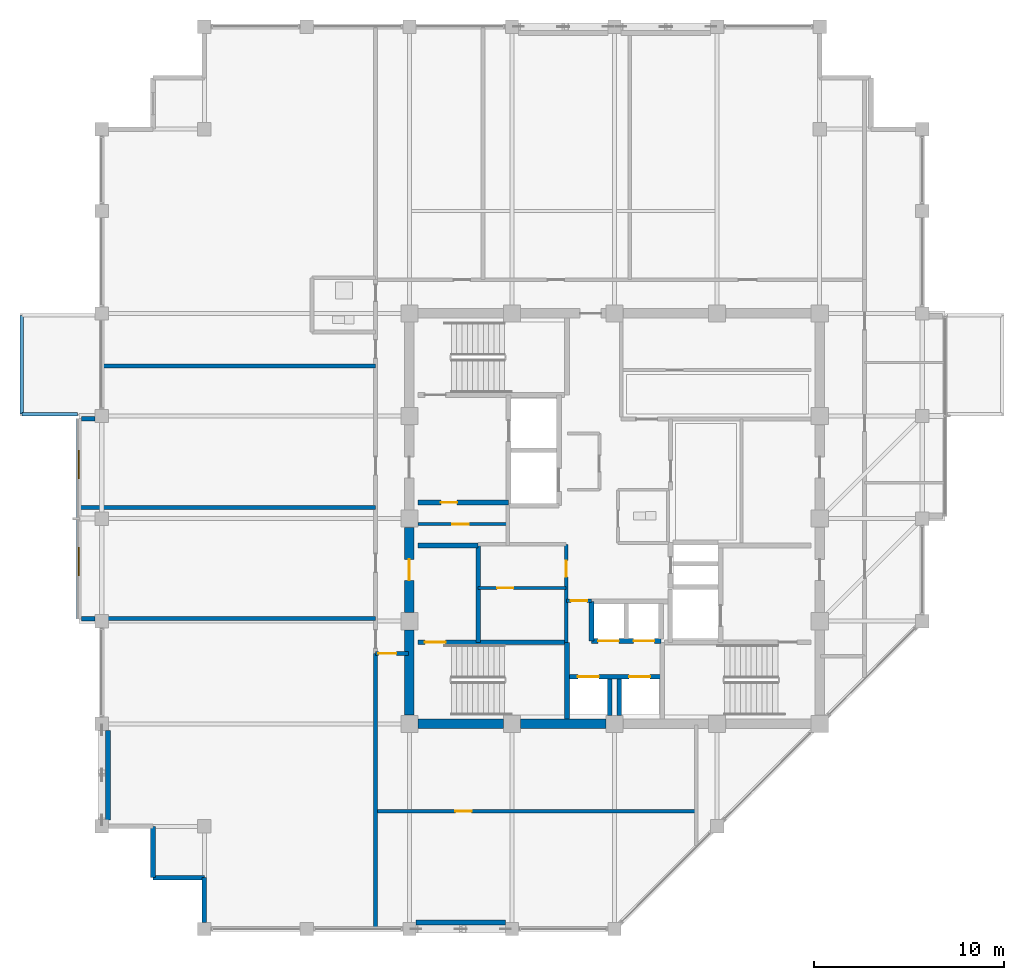
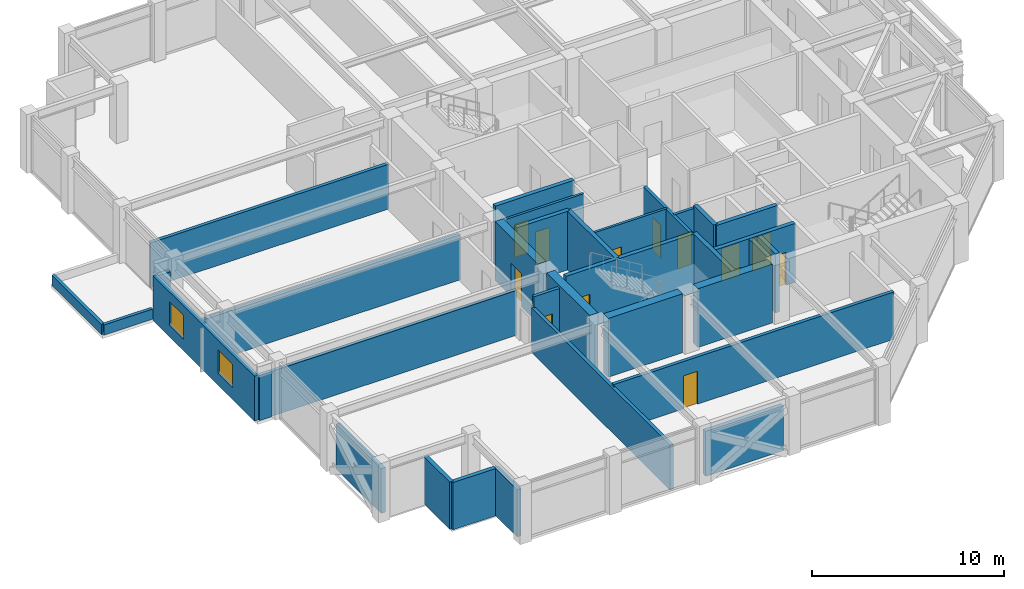
# One storey, part 25 of 31: 34 walls, 13 doors, 2 windows, 15 openings.
"""IFC4 building model written with IfcOpenShell, lengths in metres."""

import ifcopenshell
import ifcopenshell.guid

model = None  # the IFC model being written
_history = None  # IfcOwnerHistory: only IFC2X3 demands one
_inside = {}  # id of a spatial element -> (the spatial element, [elements in it])
_under = {}  # id of a project, library or spatial element -> (it, [spatial elements below it])
_declared = {}  # id of a project -> (the project, [libraries it declares])
_typed = {}  # id of a type object -> (the type object, [elements of that type])
_made_of = {}  # id of a material, layer set ... -> (it, [elements and type objects made of it])


def new_model(schema):
    """Start an empty IFC model of exactly this schema.

    Asked for "IFC4X3", IfcOpenShell would pick the latest addendum, in which some entities
    have other attributes; the version numbers below select the first issue.
    IFC2X3 requires an IfcOwnerHistory on every rooted entity: one is made here for all.
    """
    global model, _history
    if schema == "IFC4X3":
        model = ifcopenshell.file(schema_version=(4, 3, 0, 0))
    else:
        model = ifcopenshell.file(schema=schema)
    _inside.clear()
    _under.clear()
    _declared.clear()
    _typed.clear()
    _made_of.clear()
    _history = None
    if model.schema == "IFC2X3":
        org = make("IfcOrganization", Name="unknown")
        user = make(
            "IfcPersonAndOrganization",
            ThePerson=make("IfcPerson", FamilyName="unknown"),
            TheOrganization=org,
        )
        app = make(
            "IfcApplication",
            ApplicationDeveloper=org,
            Version="unknown",
            ApplicationFullName="unknown",
            ApplicationIdentifier="unknown",
        )
        _history = make(
            "IfcOwnerHistory",
            OwningUser=user,
            OwningApplication=app,
            ChangeAction="ADDED",
            CreationDate=0,
        )
    return model


def make(cls, **values):
    """One entity of the class cls with the attributes given. An attribute that is None is left unset."""
    return model.create_entity(
        cls, **{name: value for name, value in values.items() if value is not None}
    )


def rooted(cls, **values):
    """An entity with a GlobalId (a new one), such as an element, a storey or a relation."""
    return make(cls, GlobalId=ifcopenshell.guid.new(), OwnerHistory=_history, **values)


def si_unit(unit_type, name, prefix=None):
    """IfcSIUnit, for example si_unit("LENGTHUNIT", "METRE", prefix="MILLI")."""
    return make("IfcSIUnit", UnitType=unit_type, Prefix=prefix, Name=name)


def assignment(units):
    """IfcUnitAssignment: the units of a project."""
    return None if units is None else make("IfcUnitAssignment", Units=units)


def point(xyz):
    """IfcCartesianPoint."""
    return None if xyz is None else make("IfcCartesianPoint", Coordinates=xyz)


def direction(xyz):
    """IfcDirection."""
    return None if xyz is None else make("IfcDirection", DirectionRatios=xyz)


def frame(location, z_axis=None, x_axis=None):
    """IfcAxis2Placement3D, a coordinate frame: its origin and axes. An axis left out is left unset."""
    return make(
        "IfcAxis2Placement3D",
        Location=point(location),
        Axis=direction(z_axis),
        RefDirection=direction(x_axis),
    )


def frame_2d(location, x_axis=None):
    """IfcAxis2Placement2D, a coordinate frame in the plane: its origin and x axis."""
    return make(
        "IfcAxis2Placement2D", Location=point(location), RefDirection=direction(x_axis)
    )


def origin():
    """The frame at (0, 0, 0) with its axes left unset."""
    return frame((0.0, 0.0, 0.0))


def place(relative_to, where):
    """IfcLocalPlacement: puts the frame where relative to a parent placement (None: the world)."""
    return make(
        "IfcLocalPlacement", PlacementRelTo=relative_to, RelativePlacement=where
    )


def context(
    kind, dimensions, precision=None, world=None, true_north=None, identifier=None
):
    """IfcGeometricRepresentationContext, for example the 3D "Model" context."""
    return make(
        "IfcGeometricRepresentationContext",
        ContextIdentifier=identifier,
        ContextType=kind,
        CoordinateSpaceDimension=dimensions,
        Precision=precision,
        WorldCoordinateSystem=world,
        TrueNorth=true_north,
    )


def subcontext(parent, identifier, kind, view, scale=None):
    """IfcGeometricRepresentationSubContext, for example "Body" below "Model"."""
    return make(
        "IfcGeometricRepresentationSubContext",
        ContextIdentifier=identifier,
        ContextType=kind,
        ParentContext=parent,
        TargetScale=scale,
        TargetView=view,
    )


def project(units=None, contexts=None):
    """IfcProject with its units and contexts."""
    return rooted(
        "IfcProject",
        Name="project",
        RepresentationContexts=contexts,
        UnitsInContext=assignment(units),
    )


def spatial(cls, under=None, at=None, **own):
    """A site, building, storey or space (cls), placed at a placement, below another one or the project."""
    s = rooted(cls, ObjectPlacement=at, **own)
    if under is not None:
        _under.setdefault(under.id(), (under, []))[1].append(s)
    return s


def profile(cls, at=None, kind="AREA", **sizes):
    """A parametric profile (cls). Its sizes go by their IFC names, for example OverallWidth=200.0."""
    return make(cls, ProfileType=kind, Position=at, **sizes)


def rectangle(**sizes):
    """IfcRectangleProfileDef."""
    return profile("IfcRectangleProfileDef", **sizes)


def extrude(swept, where, along, depth):
    """IfcExtrudedAreaSolid: the profile swept, set in the frame where, extruded along a direction by depth."""
    return make(
        "IfcExtrudedAreaSolid",
        SweptArea=swept,
        Position=where,
        ExtrudedDirection=direction(along),
        Depth=depth,
    )


def shape(context_of_items, identifier, shape_type, items):
    """IfcShapeRepresentation: the items that make up one representation, for example the "Body"."""
    return make(
        "IfcShapeRepresentation",
        ContextOfItems=context_of_items,
        RepresentationIdentifier=identifier,
        RepresentationType=shape_type,
        Items=items,
    )


def material(Name=None, Category=None):
    """IfcMaterial."""
    return make("IfcMaterial", Name=Name, Category=Category)


def layer(
    of_material, thickness, ventilated=None, Name=None, Category=None, Priority=None
):
    """IfcMaterialLayer: one layer of a wall or slab, of a material (None: an air gap)."""
    return make(
        "IfcMaterialLayer",
        Material=of_material,
        LayerThickness=thickness,
        IsVentilated=ventilated,
        Name=Name,
        Category=Category,
        Priority=Priority,
    )


def layer_set(layers, Name=None):
    """IfcMaterialLayerSet."""
    return make("IfcMaterialLayerSet", MaterialLayers=layers, LayerSetName=Name)


def made_of(thing, what):
    """Note that an element or type object is made of a material, layer set ...; save() writes the relation."""
    if what is not None:
        _made_of.setdefault(what.id(), (what, []))[1].append(thing)
    return thing


def type_object(cls, material=None, **own):
    """A type object (cls), such as IfcWallType, which elements share."""
    return made_of(rooted(cls, **own), material)


def element(
    cls,
    number,
    at=None,
    inside=None,
    cuts=None,
    type_object=None,
    material=None,
    context=None,
    identifier="Body",
    shape_type=None,
    held_by="IfcProductDefinitionShape",
    body=None,
    shapes=None,
    **own,
):
    """One element of the class cls, such as IfcWall. Its Tag is "e" and its number.

    at: its placement. inside: the storey or other place that contains it. cuts: it is an
    opening in that element (IfcRelVoidsElement). A single representation is given by context,
    identifier, shape_type and body (its items); several are given by shapes. held_by: the class
    of the entity that holds the representations. save() writes the other relations.
    """
    e = rooted(cls, Tag="e%d" % number, ObjectPlacement=at, **own)
    if body is not None:
        shapes = [shape(context, identifier, shape_type, body)]
    if shapes is not None:
        e.Representation = make(held_by, Representations=shapes)
    if inside is not None:
        _inside.setdefault(inside.id(), (inside, []))[1].append(e)
    if cuts is not None:
        rooted(
            "IfcRelVoidsElement", RelatingBuildingElement=cuts, RelatedOpeningElement=e
        )
    if type_object is not None:
        _typed.setdefault(type_object.id(), (type_object, []))[1].append(e)
    return made_of(e, material)


def fill(opening, filler):
    """IfcRelFillsElement: the door or window that sits in an opening."""
    return rooted(
        "IfcRelFillsElement",
        RelatingOpeningElement=opening,
        RelatedBuildingElement=filler,
    )


def aggregate(whole, parts):
    """IfcRelAggregates: a whole, such as a stair, and the parts it consists of."""
    return rooted("IfcRelAggregates", RelatingObject=whole, RelatedObjects=parts)


def save(model, path):
    """Write the relations noted so far, then the file.

    IfcRelAggregates (storeys below a building ...), IfcRelContainedInSpatialStructure (elements
    in a storey), IfcRelDefinesByType, IfcRelAssociatesMaterial and IfcRelDeclares: one each for
    every whole, place, type object, material and project.
    """
    for whole, parts in _under.values():
        aggregate(whole, parts)
    for where, things in _inside.values():
        rooted(
            "IfcRelContainedInSpatialStructure",
            RelatedElements=things,
            RelatingStructure=where,
        )
    for kind, things in _typed.values():
        rooted("IfcRelDefinesByType", RelatedObjects=things, RelatingType=kind)
    for what, things in _made_of.values():
        rooted("IfcRelAssociatesMaterial", RelatedObjects=things, RelatingMaterial=what)
    for by, libraries in _declared.values():
        rooted("IfcRelDeclares", RelatingContext=by, RelatedDefinitions=libraries)
    model.write(path)


model = new_model("IFC4")

# Units and contexts
model_context = context("Model", 3, precision=1e-05, world=origin(), true_north=direction((0.0, 1.0)))
body_context = subcontext(model_context, "Body", "Model", "MODEL_VIEW")
ifc_project = project(units=[si_unit("LENGTHUNIT", "METRE"), si_unit("AREAUNIT", "SQUARE_METRE"), si_unit("VOLUMEUNIT", "CUBIC_METRE"), si_unit("PLANEANGLEUNIT", "RADIAN"), si_unit("MASSUNIT", "GRAM", prefix="KILO")], contexts=[model_context])

# Site, building, storey
site_placement = place(None, origin())
site = spatial("IfcSite", under=ifc_project, at=site_placement, CompositionType="ELEMENT")
building_placement = place(site_placement, origin())
building = spatial("IfcBuilding", under=site, at=building_placement, Name="Surkhivell Harbour Commons", CompositionType="ELEMENT")
storey_placement = place(building_placement, frame((0.0, 0.0, 270.0)))
storey = spatial("IfcBuildingStorey", under=building, at=storey_placement, Name="L70", CompositionType="ELEMENT", Elevation=270.0)

# Walls
ifc_material_1 = material(Name="Concrete C50/60", Category="concrete")
ifc_layer_1 = layer(ifc_material_1, 0.5)
ifc_layer_set_1 = layer_set([ifc_layer_1], Name="Concrete C50/60")
wall_type_1 = type_object("IfcWallType", Name="WAL-CORE-500", PredefinedType="SHEAR", material=ifc_layer_set_1)
for number, where, z_axis, x_axis, name in (
    (1, (-10.340087890625, -10.800048828125, 0.0), (0.0, 0.0, 1.0), (1.0, 0.0, 0.0), "L70 Core Shear Wall South 1"),
    (2, (-10.800048828125, -10.340087890625, 0.0), (0.0, 0.0, 1.0), (0.0, 1.0, 0.0), "L70 Core Shear Wall West 1"),
    (3, (-4.93994140625, -10.800048828125, 0.0), (0.0, 0.0, 1.0), (1.0, 0.0, 0.0), "L70 Core Shear Wall South 2"),
):
    element("IfcWall", number, at=place(storey_placement, frame(where, z_axis=z_axis, x_axis=x_axis)), inside=storey, type_object=wall_type_1, Name=name, PredefinedType="SHEAR", context=body_context, shape_type="SweptSolid", body=[
        extrude(rectangle(XDim=4.47998046875, YDim=0.5, at=frame_2d((2.239990234375, 0.0))), origin(), (0.0, 0.0, 1.0), 3.75),
    ])

# Wall, opening, door
wall_1_placement = place(storey_placement, frame((-10.800048828125, -4.93994140625, 0.0), z_axis=(0.0, 0.0, 1.0), x_axis=(0.0, 1.0, 0.0)))
wall_1 = element("IfcWall", 4, at=wall_1_placement, inside=storey, type_object=wall_type_1, Name="L70 Core Shear Wall West 2", PredefinedType="SHEAR", context=body_context, shape_type="SweptSolid", body=[
    extrude(rectangle(XDim=4.47998046875, YDim=0.5, at=frame_2d((2.239990234375, 0.0))), origin(), (0.0, 0.0, 1.0), 3.75),
])
opening_1_placement = place(wall_1_placement, frame((1.68994140625, 0.0, 0.0)))
opening_1 = element("IfcOpeningElement", 5, at=opening_1_placement, cuts=wall_1, Name="Opening ID-2", PredefinedType="OPENING", context=body_context, shape_type="SweptSolid", body=[
    extrude(rectangle(XDim=1.10009765625, YDim=2.10009765625, at=frame_2d((0.550048828125, 1.050048828125))), frame((0.0, 0.260009765625, 0.0), z_axis=(0.0, -1.0, 0.0), x_axis=(1.0, 0.0, 0.0)), (0.0, 0.0, 1.0), 0.52001953125),
])
ifc_material_2 = material(Name="Hardwood-veneered fire-rated door leaf", Category="wood")
door_type_1 = type_object("IfcDoorType", Name="DOR-FD60-1100", OperationType="NOTDEFINED", PredefinedType="DOOR", material=ifc_material_2)
door_1_placement = place(opening_1_placement, origin())
door_1 = element("IfcDoor", 6, at=door_1_placement, inside=storey, type_object=door_type_1, Name="L70 Stair 3 Lobby Corridor Door", OperationType="SINGLE_SWING_LEFT", OverallHeight=2.10009765625, OverallWidth=1.10009765625, PredefinedType="DOOR", context=body_context, shape_type="SweptSolid", body=[
    extrude(rectangle(XDim=1.10009765625, YDim=2.10009765625, at=frame_2d((0.550048828125, 1.050048828125))), frame((0.0, 0.02490234375, 0.0), z_axis=(0.0, -1.0, 0.0), x_axis=(1.0, 0.0, 0.0)), (0.0, 0.0, 1.0), 0.050048828125),
])
fill(opening_1, door_1)

# Walls
ifc_material_3 = material(Name="Pale-metal insulated precast concrete C45/55", Category="concrete")
ifc_layer_2 = layer(ifc_material_3, 0.260009765625)
ifc_layer_set_2 = layer_set([ifc_layer_2], Name="Pale-metal insulated precast concrete C45/55")
wall_type_2 = type_object("IfcWallType", Name="WAL-EXT-MTL260", PredefinedType="STANDARD", material=ifc_layer_set_2)
wall_2_placement = place(storey_placement, frame((-10.451904296875, -21.264892578125, 0.0), z_axis=(0.0, 0.0, 1.0), x_axis=(1.0, 0.0, 0.0)))
element("IfcWall", 7, at=wall_2_placement, inside=storey, type_object=wall_type_2, Name="L70 Braced-Bay Insulated Spandrel Backing S", PredefinedType="STANDARD", context=body_context, shape_type="SweptSolid", body=[
    extrude(rectangle(XDim=4.703857421875, YDim=0.260009765625, at=frame_2d((2.35205078125, 0.0))), origin(), (0.0, 0.0, 1.0), 2.85693359375),
])
wall_3_placement = place(storey_placement, frame((-26.6650390625, -15.85205078125, 0.0), z_axis=(0.0, 0.0, 1.0), x_axis=(0.0, 1.0, 0.0)))
element("IfcWall", 8, at=wall_3_placement, inside=storey, type_object=wall_type_2, Name="L70 Braced-Bay Insulated Spandrel Backing W", PredefinedType="STANDARD", context=body_context, shape_type="SweptSolid", body=[
    extrude(rectangle(XDim=4.7041015625, YDim=0.260009765625, at=frame_2d((2.35205078125, 0.0))), origin(), (0.0, 0.0, 1.0), 2.85693359375),
])

# Wall, openings, windows
ifc_material_4 = material(Name="Bronze-ochre cassette precast concrete C45/55", Category="concrete")
ifc_layer_3 = layer(ifc_material_4, 0.239990234375)
ifc_layer_set_3 = layer_set([ifc_layer_3], Name="Bronze-ochre cassette precast concrete C45/55")
wall_type_3 = type_object("IfcWallType", Name="WAL-EXT-OCH240", PredefinedType="STANDARD", material=ifc_layer_set_3)
wall_4_placement = place(storey_placement, frame((-28.199951171875, 5.280029296875, 0.0), z_axis=(0.0, 0.0, 1.0), x_axis=(0.0, -1.0, 0.0)))
wall_4 = element("IfcWall", 9, at=wall_4_placement, inside=storey, type_object=wall_type_3, Name="L70 Coloured Box Front Wall 02", PredefinedType="STANDARD", context=body_context, shape_type="SweptSolid", body=[
    extrude(rectangle(XDim=10.56005859375, YDim=0.239990234375, at=frame_2d((5.280029296875, 0.0))), origin(), (0.0, 0.0, 1.0), 2.85693359375),
])
opening_2_placement = place(wall_4_placement, frame((1.68505859375, 0.0, 0.75)))
opening_2 = element("IfcOpeningElement", 10, at=opening_2_placement, cuts=wall_4, Name="Opening WN-13", PredefinedType="OPENING", context=body_context, shape_type="SweptSolid", body=[
    extrude(rectangle(XDim=1.5, YDim=1.5, at=frame_2d((0.75, 0.75))), frame((0.0, 0.1298828125, 0.0), z_axis=(0.0, -1.0, 0.0), x_axis=(1.0, 0.0, 0.0)), (0.0, 0.0, 1.0), 0.260009765625),
])
opening_3_placement = place(wall_4_placement, frame((6.784912109375, 0.0, 0.75)))
opening_3 = element("IfcOpeningElement", 11, at=opening_3_placement, cuts=wall_4, Name="Opening WN-13", PredefinedType="OPENING", context=body_context, shape_type="SweptSolid", body=[
    extrude(rectangle(XDim=1.5, YDim=1.5, at=frame_2d((0.75, 0.75))), frame((0.0, 0.1298828125, 0.0), z_axis=(0.0, -1.0, 0.0), x_axis=(1.0, 0.0, 0.0)), (0.0, 0.0, 1.0), 0.260009765625),
])
ifc_material_5 = material(Name="Thermal-break aluminium frame and double low-E glazing", Category="aluminium")
window_type = type_object("IfcWindowType", Name="WIN-BOX-1500x1500", PartitioningType="SINGLE_PANEL", PredefinedType="WINDOW", material=ifc_material_5)
window_1_placement = place(opening_2_placement, origin())
window_1 = element("IfcWindow", 12, at=window_1_placement, inside=storey, type_object=window_type, Name="L70 Coloured Box Square Window 02-1", OverallHeight=1.5, OverallWidth=1.5, PartitioningType="SINGLE_PANEL", PredefinedType="WINDOW", context=body_context, shape_type="SweptSolid", body=[
    extrude(rectangle(XDim=1.5, YDim=1.5, at=frame_2d((0.75, 0.75))), frame((0.0, 0.030029296875, 0.0), z_axis=(0.0, -1.0, 0.0), x_axis=(1.0, 0.0, 0.0)), (0.0, 0.0, 1.0), 0.06005859375),
])
fill(opening_2, window_1)
window_2_placement = place(opening_3_placement, origin())
window_2 = element("IfcWindow", 13, at=window_2_placement, inside=storey, type_object=window_type, Name="L70 Coloured Box Square Window 02-2", OverallHeight=1.5, OverallWidth=1.5, PartitioningType="SINGLE_PANEL", PredefinedType="WINDOW", context=body_context, shape_type="SweptSolid", body=[
    extrude(rectangle(XDim=1.5, YDim=1.5, at=frame_2d((0.75, 0.75))), frame((0.0, 0.030029296875, 0.0), z_axis=(0.0, -1.0, 0.0), x_axis=(1.0, 0.0, 0.0)), (0.0, 0.0, 1.0), 0.06005859375),
])
fill(opening_3, window_2)

# Walls
for number, where, z_axis, x_axis, name in (
    (14, (-28.06005859375, -5.260009765625, 0.0), (0.0, 0.0, 1.0), (1.0, 0.0, 0.0), "L70 Coloured Box Return Wall 02S"),
    (15, (-28.06005859375, 5.260009765625, 0.0), (0.0, 0.0, 1.0), (1.0, 0.0, 0.0), "L70 Coloured Box Return Wall 02N"),
):
    element("IfcWall", number, at=place(storey_placement, frame(where, z_axis=z_axis, x_axis=x_axis)), inside=storey, type_object=wall_type_3, Name=name, PredefinedType="STANDARD", context=body_context, shape_type="SweptSolid", body=[
        extrude(rectangle(XDim=0.7060546875, YDim=0.239990234375, at=frame_2d((0.35302734375, 0.0))), origin(), (0.0, 0.0, 1.0), 2.85693359375),
    ])
for number, where, z_axis, x_axis, name in (
    (16, (-24.300048828125, -16.199951171875, 0.0), (0.0, 0.0, 1.0), (0.0, -1.0, 0.0), "L70 Serrated Corner Facade Wall 14"),
    (17, (-24.300048828125, -18.89990234375, 0.0), (0.0, 0.0, 1.0), (1.0, 0.0, 0.0), "L70 Serrated Corner Facade Wall 15"),
):
    element("IfcWall", number, at=place(storey_placement, frame(where, z_axis=z_axis, x_axis=x_axis)), inside=storey, type_object=wall_type_3, Name=name, PredefinedType="STANDARD", context=body_context, shape_type="SweptSolid", body=[
        extrude(rectangle(XDim=2.699951171875, YDim=0.239990234375, at=frame_2d((1.35009765625, 0.0))), origin(), (0.0, 0.0, 1.0), 3.012939453125),
    ])
wall_5_placement = place(storey_placement, frame((-21.60009765625, -18.89990234375, 0.0), z_axis=(0.0, 0.0, 1.0), x_axis=(0.0, -1.0, 0.0)))
element("IfcWall", 18, at=wall_5_placement, inside=storey, type_object=wall_type_3, Name="L70 Serrated Corner Facade Wall 16", PredefinedType="STANDARD", context=body_context, shape_type="SweptSolid", body=[
    extrude(rectangle(XDim=2.35205078125, YDim=0.239990234375, at=frame_2d((1.176025390625, 0.0))), origin(), (0.0, 0.0, 1.0), 3.012939453125),
])

# Wall, opening, door
ifc_material_6 = material(Name="Twin-stud acoustic fireboard partition", Category="other")
ifc_layer_4 = layer(ifc_material_6, 0.14990234375)
ifc_layer_set_4 = layer_set([ifc_layer_4], Name="Twin-stud acoustic fireboard partition")
wall_type_4 = type_object("IfcWallType", Name="WAL-INT-150", PredefinedType="PARTITIONING", material=ifc_layer_set_4)
wall_6_placement = place(storey_placement, frame((-7.179931640625, -3.64990234375, 0.0), z_axis=(0.0, 0.0, 1.0), x_axis=(1.0, 0.0, 0.0)))
wall_6 = element("IfcWall", 19, at=wall_6_placement, inside=storey, type_object=wall_type_4, Name="L70 Core Cut C1 Partition", PredefinedType="PARTITIONING", context=body_context, shape_type="SweptSolid", body=[
    extrude(rectangle(XDim=4.6298828125, YDim=0.14990234375, at=frame_2d((2.31494140625, 0.0))), origin(), (0.0, 0.0, 1.0), 3.570068359375),
])
opening_4_placement = place(wall_6_placement, frame((1.0, 0.0, 0.0)))
opening_4 = element("IfcOpeningElement", 20, at=opening_4_placement, cuts=wall_6, Name="Opening ID-6", PredefinedType="OPENING", context=body_context, shape_type="SweptSolid", body=[
    extrude(rectangle(XDim=0.85009765625, YDim=2.10009765625, at=frame_2d((0.425048828125, 1.050048828125))), frame((0.0, 0.0849609375, 0.0), z_axis=(0.0, -1.0, 0.0), x_axis=(1.0, 0.0, 0.0)), (0.0, 0.0, 1.0), 0.169921875),
])
door_type_2 = type_object("IfcDoorType", Name="DOR-FD30-850", OperationType="NOTDEFINED", PredefinedType="DOOR", material=ifc_material_2)
door_2_placement = place(opening_4_placement, origin())
door_2 = element("IfcDoor", 21, at=door_2_placement, inside=storey, type_object=door_type_2, Name="L70 Cleaner Room Door", OperationType="SINGLE_SWING_LEFT", OverallHeight=2.10009765625, OverallWidth=0.85009765625, PredefinedType="DOOR", context=body_context, shape_type="SweptSolid", body=[
    extrude(rectangle(XDim=0.85009765625, YDim=2.10009765625, at=frame_2d((0.425048828125, 1.050048828125))), frame((0.0, 0.02490234375, 0.0), z_axis=(0.0, -1.0, 0.0), x_axis=(1.0, 0.0, 0.0)), (0.0, 0.0, 1.0), 0.050048828125),
])
fill(opening_4, door_2)

wall_7_placement = place(storey_placement, frame((-10.340087890625, -0.2900390625, 0.0), z_axis=(0.0, 0.0, 1.0), x_axis=(1.0, 0.0, 0.0)))
wall_7 = element("IfcWall", 22, at=wall_7_placement, inside=storey, type_object=wall_type_4, Name="L70 West Core Horizontal Cut", PredefinedType="PARTITIONING", context=body_context, shape_type="SweptSolid", body=[
    extrude(rectangle(XDim=4.719970703125, YDim=0.14990234375, at=frame_2d((2.35986328125, 0.0))), origin(), (0.0, 0.0, 1.0), 3.570068359375),
])
opening_5_placement = place(wall_7_placement, frame((1.800048828125, 0.0, 0.0)))
opening_5 = element("IfcOpeningElement", 23, at=opening_5_placement, cuts=wall_7, Name="Opening ID-6", PredefinedType="OPENING", context=body_context, shape_type="SweptSolid", body=[
    extrude(rectangle(XDim=0.85009765625, YDim=2.10009765625, at=frame_2d((0.425048828125, 1.050048828125))), frame((0.0, 0.0849609375, 0.0), z_axis=(0.0, -1.0, 0.0), x_axis=(1.0, 0.0, 0.0)), (0.0, 0.0, 1.0), 0.169921875),
])
door_3_placement = place(opening_5_placement, origin())
door_3 = element("IfcDoor", 24, at=door_3_placement, inside=storey, type_object=door_type_2, Name="L70 West Music Pod Door", OperationType="SINGLE_SWING_RIGHT", OverallHeight=2.10009765625, OverallWidth=0.85009765625, PredefinedType="DOOR", context=body_context, shape_type="SweptSolid", body=[
    extrude(rectangle(XDim=0.85009765625, YDim=2.10009765625, at=frame_2d((0.425048828125, 1.050048828125))), frame((0.0, 0.02490234375, 0.0), z_axis=(0.0, -1.0, 0.0), x_axis=(1.0, 0.0, 0.0)), (0.0, 0.0, 1.0), 0.050048828125),
])
fill(opening_5, door_3)

ifc_material_7 = material(Name="High-density acoustic blockwork fire partition", Category="masonry")
ifc_layer_5 = layer(ifc_material_7, 0.175048828125)
ifc_layer_set_5 = layer_set([ifc_layer_5], Name="High-density acoustic blockwork fire partition")
wall_type_5 = type_object("IfcWallType", Name="WAL-INT-175", PredefinedType="PARTITIONING", material=ifc_layer_set_5)
wall_8_placement = place(storey_placement, frame((-2.550048828125, -6.510009765625, 0.0), z_axis=(0.0, 0.0, 1.0), x_axis=(0.0, 1.0, 0.0)))
wall_8 = element("IfcWall", 25, at=wall_8_placement, inside=storey, type_object=wall_type_5, Name="L70 Core Service Bay East Wall", PredefinedType="PARTITIONING", context=body_context, shape_type="SweptSolid", body=[
    extrude(rectangle(XDim=5.159912109375, YDim=0.175048828125, at=frame_2d((2.580078125, 0.0))), origin(), (0.0, 0.0, 1.0), 3.570068359375),
])
opening_6_placement = place(wall_8_placement, frame((3.449951171875, 0.0, 0.0)))
opening_6 = element("IfcOpeningElement", 26, at=opening_6_placement, cuts=wall_8, Name="Opening ID-6", PredefinedType="OPENING", context=body_context, shape_type="SweptSolid", body=[
    extrude(rectangle(XDim=0.85009765625, YDim=2.10009765625, at=frame_2d((0.425048828125, 1.050048828125))), frame((0.0, 0.097412109375, 0.0), z_axis=(0.0, -1.0, 0.0), x_axis=(1.0, 0.0, 0.0)), (0.0, 0.0, 1.0), 0.195068359375),
])
door_4_placement = place(opening_6_placement, origin())
door_4 = element("IfcDoor", 27, at=door_4_placement, inside=storey, type_object=door_type_2, Name="L70 Core Seminar Door", OperationType="SINGLE_SWING_LEFT", OverallHeight=2.10009765625, OverallWidth=0.85009765625, PredefinedType="DOOR", context=body_context, shape_type="SweptSolid", body=[
    extrude(rectangle(XDim=0.85009765625, YDim=2.10009765625, at=frame_2d((0.425048828125, 1.050048828125))), frame((0.0, 0.02490234375, 0.0), z_axis=(0.0, -1.0, 0.0), x_axis=(1.0, 0.0, 0.0)), (0.0, 0.0, 1.0), 0.050048828125),
])
fill(opening_6, door_4)

wall_9_placement = place(storey_placement, frame((-2.52001953125, -4.320068359375, 0.0), z_axis=(0.0, 0.0, 1.0), x_axis=(1.0, 0.0, 0.0)))
wall_9 = element("IfcWall", 28, at=wall_9_placement, inside=storey, type_object=wall_type_5, Name="L70 High-Rise Lobby North Portal Wall", PredefinedType="PARTITIONING", context=body_context, shape_type="SweptSolid", body=[
    extrude(rectangle(XDim=1.300048828125, YDim=0.175048828125, at=frame_2d((0.64990234375, 0.0))), origin(), (0.0, 0.0, 1.0), 3.570068359375),
])
opening_7_placement = place(wall_9_placement, frame((0.219970703125, 0.0, 0.0)))
opening_7 = element("IfcOpeningElement", 29, at=opening_7_placement, cuts=wall_9, Name="Opening ID-6", PredefinedType="OPENING", context=body_context, shape_type="SweptSolid", body=[
    extrude(rectangle(XDim=0.85009765625, YDim=2.10009765625, at=frame_2d((0.425048828125, 1.050048828125))), frame((0.0, 0.097412109375, 0.0), z_axis=(0.0, -1.0, 0.0), x_axis=(1.0, 0.0, 0.0)), (0.0, 0.0, 1.0), 0.195068359375),
])
door_5_placement = place(opening_7_placement, origin())
door_5 = element("IfcDoor", 30, at=door_5_placement, inside=storey, type_object=door_type_2, Name="L70 High-Rise Lift Lobby North Door", OperationType="SINGLE_SWING_LEFT", OverallHeight=2.10009765625, OverallWidth=0.85009765625, PredefinedType="DOOR", context=body_context, shape_type="SweptSolid", body=[
    extrude(rectangle(XDim=0.85009765625, YDim=2.10009765625, at=frame_2d((0.425048828125, 1.050048828125))), frame((0.0, 0.02490234375, 0.0), z_axis=(0.0, -1.0, 0.0), x_axis=(1.0, 0.0, 0.0)), (0.0, 0.0, 1.0), 0.050048828125),
])
fill(opening_7, door_5)

ifc_material_8 = material(Name="Autoclaved aerated concrete blockwork and fire plaster", Category="masonry")
ifc_layer_6 = layer(ifc_material_8, 0.199951171875)
ifc_layer_set_6 = layer_set([ifc_layer_6], Name="Autoclaved aerated concrete blockwork and fire plaster")
wall_type_6 = type_object("IfcWallType", Name="WAL-INT-200", PredefinedType="PARTITIONING", material=ifc_layer_set_6)
wall_10_placement = place(storey_placement, frame((-12.580078125, -15.39990234375, 0.0), z_axis=(0.0, 0.0, 1.0), x_axis=(1.0, 0.0, 0.0)))
wall_10 = element("IfcWall", 31, at=wall_10_placement, inside=storey, type_object=wall_type_6, Name="L70 South Wing Horizontal Partition", PredefinedType="PARTITIONING", context=body_context, shape_type="SweptSolid", body=[
    extrude(rectangle(XDim=16.880126953125, YDim=0.199951171875, at=frame_2d((8.43994140625, 0.0))), origin(), (0.0, 0.0, 1.0), 3.012939453125),
])
opening_8_placement = place(wall_10_placement, frame((4.199951171875, 0.0, 0.0)))
opening_8 = element("IfcOpeningElement", 32, at=opening_8_placement, cuts=wall_10, Name="Opening ID-6", PredefinedType="OPENING", context=body_context, shape_type="SweptSolid", body=[
    extrude(rectangle(XDim=0.85009765625, YDim=2.10009765625, at=frame_2d((0.425048828125, 1.050048828125))), frame((0.0, 0.10986328125, 0.0), z_axis=(0.0, -1.0, 0.0), x_axis=(1.0, 0.0, 0.0)), (0.0, 0.0, 1.0), 0.219970703125),
])
door_6_placement = place(opening_8_placement, origin())
door_6 = element("IfcDoor", 33, at=door_6_placement, inside=storey, type_object=door_type_2, Name="L70 South Music Door", OperationType="SINGLE_SWING_RIGHT", OverallHeight=2.10009765625, OverallWidth=0.85009765625, PredefinedType="DOOR", context=body_context, shape_type="SweptSolid", body=[
    extrude(rectangle(XDim=0.85009765625, YDim=2.10009765625, at=frame_2d((0.425048828125, 1.050048828125))), frame((0.0, 0.02490234375, 0.0), z_axis=(0.0, -1.0, 0.0), x_axis=(1.0, 0.0, 0.0)), (0.0, 0.0, 1.0), 0.050048828125),
])
fill(opening_8, door_6)

# Wall
wall_11_placement = place(storey_placement, frame((-12.580078125, -21.5400390625, 0.0), z_axis=(0.0, 0.0, 1.0), x_axis=(0.0, 1.0, 0.0)))
element("IfcWall", 34, at=wall_11_placement, inside=storey, type_object=wall_type_6, Name="L70 South Hall West Divider", PredefinedType="PARTITIONING", context=body_context, shape_type="SweptSolid", body=[
    extrude(rectangle(XDim=14.43994140625, YDim=0.199951171875, at=frame_2d((7.219970703125, 0.0))), origin(), (0.0, 0.0, 1.0), 2.85693359375),
])

# Wall, opening, door
wall_12_placement = place(storey_placement, frame((-12.580078125, -7.10009765625, 0.0), z_axis=(0.0, 0.0, 1.0), x_axis=(1.0, 0.0, 0.0)))
wall_12 = element("IfcWall", 35, at=wall_12_placement, inside=storey, type_object=wall_type_6, Name="L70 West Corridor South Portal Wall", PredefinedType="PARTITIONING", context=body_context, shape_type="SweptSolid", body=[
    extrude(rectangle(XDim=1.72998046875, YDim=0.199951171875, at=frame_2d((0.864990234375, 0.0))), origin(), (0.0, 0.0, 1.0), 3.570068359375),
])
opening_9_placement = place(wall_12_placement, frame((0.139892578125, 0.0, 0.0)))
opening_9 = element("IfcOpeningElement", 36, at=opening_9_placement, cuts=wall_12, Name="Opening ID-4", PredefinedType="OPENING", context=body_context, shape_type="SweptSolid", body=[
    extrude(rectangle(XDim=0.949951171875, YDim=2.10009765625, at=frame_2d((0.47509765625, 1.050048828125))), frame((0.0, 0.10986328125, 0.0), z_axis=(0.0, -1.0, 0.0), x_axis=(1.0, 0.0, 0.0)), (0.0, 0.0, 1.0), 0.219970703125),
])
door_type_3 = type_object("IfcDoorType", Name="DOR-FD60-950", OperationType="NOTDEFINED", PredefinedType="DOOR", material=ifc_material_2)
door_7_placement = place(opening_9_placement, origin())
door_7 = element("IfcDoor", 37, at=door_7_placement, inside=storey, type_object=door_type_3, Name="L70 South Dining Door", OperationType="SINGLE_SWING_RIGHT", OverallHeight=2.10009765625, OverallWidth=0.949951171875, PredefinedType="DOOR", context=body_context, shape_type="SweptSolid", body=[
    extrude(rectangle(XDim=0.949951171875, YDim=2.10009765625, at=frame_2d((0.47509765625, 1.050048828125))), frame((0.0, 0.02490234375, 0.0), z_axis=(0.0, -1.0, 0.0), x_axis=(1.0, 0.0, 0.0)), (0.0, 0.0, 1.0), 0.050048828125),
])
fill(opening_9, door_7)

# Walls
wall_13_placement = place(storey_placement, frame((-28.139892578125, 0.590087890625, 0.0), z_axis=(0.0, 0.0, 1.0), x_axis=(1.0, 0.0, 0.0)))
element("IfcWall", 38, at=wall_13_placement, inside=storey, type_object=wall_type_6, Name="L70 West Partition BDP1", PredefinedType="PARTITIONING", context=body_context, shape_type="SweptSolid", body=[
    extrude(rectangle(XDim=15.559814453125, YDim=0.199951171875, at=frame_2d((7.77978515625, 0.0))), origin(), (0.0, 0.0, 1.0), 2.85693359375),
])
wall_14_placement = place(storey_placement, frame((-27.35400390625, -5.25, 0.0), z_axis=(0.0, 0.0, 1.0), x_axis=(1.0, 0.0, 0.0)))
element("IfcWall", 39, at=wall_14_placement, inside=storey, type_object=wall_type_6, Name="L70 West Partition PBOT", PredefinedType="PARTITIONING", context=body_context, shape_type="SweptSolid", body=[
    extrude(rectangle(XDim=14.77392578125, YDim=0.199951171875, at=frame_2d((7.386962890625, 0.0))), origin(), (0.0, 0.0, 1.0), 2.85693359375),
])
wall_15_placement = place(storey_placement, frame((-26.93994140625, 8.030029296875, 0.0), z_axis=(0.0, 0.0, 1.0), x_axis=(1.0, 0.0, 0.0)))
element("IfcWall", 40, at=wall_15_placement, inside=storey, type_object=wall_type_6, Name="L70 West Partition PTOP", PredefinedType="PARTITIONING", context=body_context, shape_type="SweptSolid", body=[
    extrude(rectangle(XDim=14.35986328125, YDim=0.199951171875, at=frame_2d((7.179931640625, 0.0))), origin(), (0.0, 0.0, 1.0), 2.85693359375),
])
ifc_material_9 = material(Name="Anodised aluminium and precast concrete C40/50", Category="concrete")
ifc_layer_7 = layer(ifc_material_9, 0.18505859375)
ifc_layer_set_7 = layer_set([ifc_layer_7], Name="Anodised aluminium and precast concrete C40/50")
wall_type_7 = type_object("IfcWallType", Name="WAL-PAR-185", PredefinedType="PARAPET", material=ifc_layer_set_7)
wall_16_placement = place(storey_placement, frame((-31.199951171875, 10.699951171875, 0.0), z_axis=(0.0, 0.0, 1.0), x_axis=(0.0, -1.0, 0.0)))
element("IfcWall", 41, at=wall_16_placement, inside=storey, type_object=wall_type_7, Name="L70 Box Roof Coping Parapet 2-2", PredefinedType="PARAPET", context=body_context, shape_type="SweptSolid", body=[
    extrude(rectangle(XDim=5.199951171875, YDim=0.18505859375, at=frame_2d((2.60009765625, 0.0))), origin(), (0.0, 0.0, 1.0), 0.64990234375),
])
wall_17_placement = place(storey_placement, frame((-31.199951171875, 5.5, 0.0), z_axis=(0.0, 0.0, 1.0), x_axis=(1.0, 0.0, 0.0)))
element("IfcWall", 42, at=wall_17_placement, inside=storey, type_object=wall_type_7, Name="L70 Box Roof Coping Parapet 2-3", PredefinedType="PARAPET", context=body_context, shape_type="SweptSolid", body=[
    extrude(rectangle(XDim=2.933349609375, YDim=0.18505859375, at=frame_2d((1.466796875, 0.0))), origin(), (0.0, 0.0, 1.0), 0.64990234375),
])

# Wall, opening, door
ifc_layer_8 = layer(ifc_material_1, 0.25)
ifc_layer_set_8 = layer_set([ifc_layer_8], Name="Concrete C50/60")
wall_type_8 = type_object("IfcWallType", Name="WAL-SHAFT-250", PredefinedType="SHEAR", material=ifc_layer_set_8)
wall_18_placement = place(storey_placement, frame((-10.340087890625, 0.85009765625, 0.0), z_axis=(0.0, 0.0, 1.0), x_axis=(1.0, 0.0, 0.0)))
wall_18 = element("IfcWall", 43, at=wall_18_placement, inside=storey, type_object=wall_type_8, Name="L70 Firefighting Lobby 1 South Wall", PredefinedType="SHEAR", context=body_context, shape_type="SweptSolid", body=[
    extrude(rectangle(XDim=4.760009765625, YDim=0.25, at=frame_2d((2.3798828125, 0.0))), origin(), (0.0, 0.0, 1.0), 3.75),
])
opening_10_placement = place(wall_18_placement, frame((1.199951171875, 0.0, 0.0)))
opening_10 = element("IfcOpeningElement", 44, at=opening_10_placement, cuts=wall_18, Name="Opening ID-6", PredefinedType="OPENING", context=body_context, shape_type="SweptSolid", body=[
    extrude(rectangle(XDim=0.85009765625, YDim=2.10009765625, at=frame_2d((0.425048828125, 1.050048828125))), frame((0.0, 0.135009765625, 0.0), z_axis=(0.0, -1.0, 0.0), x_axis=(1.0, 0.0, 0.0)), (0.0, 0.0, 1.0), 0.27001953125),
])
door_8_placement = place(opening_10_placement, origin())
door_8 = element("IfcDoor", 45, at=door_8_placement, inside=storey, type_object=door_type_2, Name="L70 West Reading Alcove Door", OperationType="SINGLE_SWING_LEFT", OverallHeight=2.10009765625, OverallWidth=0.85009765625, PredefinedType="DOOR", context=body_context, shape_type="SweptSolid", body=[
    extrude(rectangle(XDim=0.85009765625, YDim=2.10009765625, at=frame_2d((0.425048828125, 1.050048828125))), frame((0.0, 0.02490234375, 0.0), z_axis=(0.0, -1.0, 0.0), x_axis=(1.0, 0.0, 0.0)), (0.0, 0.0, 1.0), 0.050048828125),
])
fill(opening_10, door_8)

# Walls
for number, where, z_axis, x_axis, name in (
    (46, (-0.25, -10.35009765625, 0.0), (0.0, 0.0, 1.0), (0.0, 1.0, 0.0), "L70 High-Rise Side Wall S"),
    (47, (0.25, -10.35009765625, 0.0), (0.0, 0.0, 1.0), (0.0, 1.0, 0.0), "L70 High-Rise Side Wall S"),
):
    element("IfcWall", number, at=place(storey_placement, frame(where, z_axis=z_axis, x_axis=x_axis)), inside=storey, type_object=wall_type_8, Name=name, PredefinedType="SHEAR", context=body_context, shape_type="SweptSolid", body=[
        extrude(rectangle(XDim=1.91015625, YDim=0.25, at=frame_2d((0.955078125, 0.0))), origin(), (0.0, 0.0, 1.0), 3.75),
    ])
wall_19_placement = place(storey_placement, frame((-1.219970703125, -6.43994140625, 0.0), z_axis=(0.0, 0.0, 1.0), x_axis=(0.0, 1.0, 0.0)))
element("IfcWall", 48, at=wall_19_placement, inside=storey, type_object=wall_type_8, Name="L70 High-Rise Passage East Shaft Wall", PredefinedType="SHEAR", context=body_context, shape_type="SweptSolid", body=[
    extrude(rectangle(XDim=2.079833984375, YDim=0.25, at=frame_2d((1.0400390625, 0.0))), origin(), (0.0, 0.0, 1.0), 3.75),
])

# Wall, openings, doors
wall_20_placement = place(storey_placement, frame((-1.219970703125, -6.43994140625, 0.0), z_axis=(0.0, 0.0, 1.0), x_axis=(1.0, 0.0, 0.0)))
wall_20 = element("IfcWall", 49, at=wall_20_placement, inside=storey, type_object=wall_type_8, Name="L70 High-Rise North Front Shaft Wall", PredefinedType="SHEAR", context=body_context, shape_type="SweptSolid", body=[
    extrude(rectangle(XDim=3.669921875, YDim=0.25, at=frame_2d((1.8349609375, 0.0))), origin(), (0.0, 0.0, 1.0), 3.75),
])
opening_11_placement = place(wall_20_placement, frame((0.35009765625, 0.0, 0.0)))
opening_11 = element("IfcOpeningElement", 50, at=opening_11_placement, cuts=wall_20, Name="Opening LD-1", PredefinedType="OPENING", context=body_context, shape_type="SweptSolid", body=[
    extrude(rectangle(XDim=1.10009765625, YDim=2.10009765625, at=frame_2d((0.550048828125, 1.050048828125))), frame((0.0, 0.135009765625, 0.0), z_axis=(0.0, -1.0, 0.0), x_axis=(1.0, 0.0, 0.0)), (0.0, 0.0, 1.0), 0.27001953125),
])
opening_12_placement = place(wall_20_placement, frame((2.219970703125, 0.0, 0.0)))
opening_12 = element("IfcOpeningElement", 51, at=opening_12_placement, cuts=wall_20, Name="Opening LD-1", PredefinedType="OPENING", context=body_context, shape_type="SweptSolid", body=[
    extrude(rectangle(XDim=1.10009765625, YDim=2.10009765625, at=frame_2d((0.550048828125, 1.050048828125))), frame((0.0, 0.135009765625, 0.0), z_axis=(0.0, -1.0, 0.0), x_axis=(1.0, 0.0, 0.0)), (0.0, 0.0, 1.0), 0.27001953125),
])
ifc_material_10 = material(Name="Brushed stainless steel S355", Category="steel")
door_type_4 = type_object("IfcDoorType", Name="DOR-LD-1100", OperationType="SLIDING_TO_LEFT", PredefinedType="DOOR", material=ifc_material_10)
door_9_placement = place(opening_11_placement, origin())
door_9 = element("IfcDoor", 52, at=door_9_placement, inside=storey, type_object=door_type_4, Name="L70 Lift Landing Door LD-PH1", OperationType="SLIDING_TO_LEFT", OverallHeight=2.10009765625, OverallWidth=1.10009765625, PredefinedType="DOOR", context=body_context, shape_type="SweptSolid", body=[
    extrude(rectangle(XDim=1.10009765625, YDim=2.10009765625, at=frame_2d((0.550048828125, 1.050048828125))), frame((0.0, 0.02490234375, 0.0), z_axis=(0.0, -1.0, 0.0), x_axis=(1.0, 0.0, 0.0)), (0.0, 0.0, 1.0), 0.050048828125),
])
fill(opening_11, door_9)
door_10_placement = place(opening_12_placement, origin())
door_10 = element("IfcDoor", 53, at=door_10_placement, inside=storey, type_object=door_type_4, Name="L70 Lift Landing Door LD-PH2", OperationType="SLIDING_TO_LEFT", OverallHeight=2.10009765625, OverallWidth=1.10009765625, PredefinedType="DOOR", context=body_context, shape_type="SweptSolid", body=[
    extrude(rectangle(XDim=1.10009765625, YDim=2.10009765625, at=frame_2d((0.550048828125, 1.050048828125))), frame((0.0, 0.02490234375, 0.0), z_axis=(0.0, -1.0, 0.0), x_axis=(1.0, 0.0, 0.0)), (0.0, 0.0, 1.0), 0.050048828125),
])
fill(opening_12, door_10)

wall_21_placement = place(storey_placement, frame((-2.47998046875, -8.320068359375, 0.0), z_axis=(0.0, 0.0, 1.0), x_axis=(1.0, 0.0, 0.0)))
wall_21 = element("IfcWall", 54, at=wall_21_placement, inside=storey, type_object=wall_type_8, Name="L70 High-Rise South Front Shaft Wall", PredefinedType="SHEAR", context=body_context, shape_type="SweptSolid", body=[
    extrude(rectangle(XDim=4.929931640625, YDim=0.25, at=frame_2d((2.46484375, 0.0))), origin(), (0.0, 0.0, 1.0), 3.75),
])
opening_13_placement = place(wall_21_placement, frame((0.550048828125, 0.0, 0.0)))
opening_13 = element("IfcOpeningElement", 55, at=opening_13_placement, cuts=wall_21, Name="Opening LD-1", PredefinedType="OPENING", context=body_context, shape_type="SweptSolid", body=[
    extrude(rectangle(XDim=1.10009765625, YDim=2.10009765625, at=frame_2d((0.550048828125, 1.050048828125))), frame((0.0, 0.135009765625, 0.0), z_axis=(0.0, -1.0, 0.0), x_axis=(1.0, 0.0, 0.0)), (0.0, 0.0, 1.0), 0.27001953125),
])
opening_14_placement = place(wall_21_placement, frame((3.25, 0.0, 0.0)))
opening_14 = element("IfcOpeningElement", 56, at=opening_14_placement, cuts=wall_21, Name="Opening LD-1", PredefinedType="OPENING", context=body_context, shape_type="SweptSolid", body=[
    extrude(rectangle(XDim=1.10009765625, YDim=2.10009765625, at=frame_2d((0.550048828125, 1.050048828125))), frame((0.0, 0.135009765625, 0.0), z_axis=(0.0, -1.0, 0.0), x_axis=(1.0, 0.0, 0.0)), (0.0, 0.0, 1.0), 0.27001953125),
])
door_11_placement = place(opening_13_placement, origin())
door_11 = element("IfcDoor", 57, at=door_11_placement, inside=storey, type_object=door_type_4, Name="L70 Lift Landing Door LD-PH3", OperationType="SLIDING_TO_LEFT", OverallHeight=2.10009765625, OverallWidth=1.10009765625, PredefinedType="DOOR", context=body_context, shape_type="SweptSolid", body=[
    extrude(rectangle(XDim=1.10009765625, YDim=2.10009765625, at=frame_2d((0.550048828125, 1.050048828125))), frame((0.0, 0.02490234375, 0.0), z_axis=(0.0, -1.0, 0.0), x_axis=(1.0, 0.0, 0.0)), (0.0, 0.0, 1.0), 0.050048828125),
])
fill(opening_13, door_11)
door_12_placement = place(opening_14_placement, origin())
door_12 = element("IfcDoor", 58, at=door_12_placement, inside=storey, type_object=door_type_4, Name="L70 Lift Landing Door LD-PH4", OperationType="SLIDING_TO_LEFT", OverallHeight=2.10009765625, OverallWidth=1.10009765625, PredefinedType="DOOR", context=body_context, shape_type="SweptSolid", body=[
    extrude(rectangle(XDim=1.10009765625, YDim=2.10009765625, at=frame_2d((0.550048828125, 1.050048828125))), frame((0.0, 0.02490234375, 0.0), z_axis=(0.0, -1.0, 0.0), x_axis=(1.0, 0.0, 0.0)), (0.0, 0.0, 1.0), 0.050048828125),
])
fill(opening_14, door_12)

# Walls
wall_22_placement = place(storey_placement, frame((-2.510009765625, -10.550048828125, 0.0), z_axis=(0.0, 0.0, 1.0), x_axis=(0.0, 1.0, 0.0)))
element("IfcWall", 59, at=wall_22_placement, inside=storey, type_object=wall_type_8, Name="L70 Stair ST3 East Shear Wall", PredefinedType="SHEAR", context=body_context, shape_type="SweptSolid", body=[
    extrude(rectangle(XDim=4.0400390625, YDim=0.25, at=frame_2d((2.02001953125, 0.0))), origin(), (0.0, 0.0, 1.0), 3.75),
])
wall_23_placement = place(storey_placement, frame((-7.179931640625, -6.510009765625, 0.0), z_axis=(0.0, 0.0, 1.0), x_axis=(0.0, 1.0, 0.0)))
element("IfcWall", 60, at=wall_23_placement, inside=storey, type_object=wall_type_8, Name="L70 Stair 3 Lobby East Wall", PredefinedType="SHEAR", context=body_context, shape_type="SweptSolid", body=[
    extrude(rectangle(XDim=5.090087890625, YDim=0.25, at=frame_2d((2.544921875, 0.0))), origin(), (0.0, 0.0, 1.0), 3.75),
])
wall_24_placement = place(storey_placement, frame((-10.340087890625, -1.419921875, 0.0), z_axis=(0.0, 0.0, 1.0), x_axis=(1.0, 0.0, 0.0)))
element("IfcWall", 61, at=wall_24_placement, inside=storey, type_object=wall_type_8, Name="L70 Stair 3 Lobby North Wall", PredefinedType="SHEAR", context=body_context, shape_type="SweptSolid", body=[
    extrude(rectangle(XDim=3.16015625, YDim=0.25, at=frame_2d((1.580078125, 0.0))), origin(), (0.0, 0.0, 1.0), 3.75),
])

# Wall, opening, door
wall_25_placement = place(storey_placement, frame((-10.340087890625, -6.510009765625, 0.0), z_axis=(0.0, 0.0, 1.0), x_axis=(1.0, 0.0, 0.0)))
wall_25 = element("IfcWall", 62, at=wall_25_placement, inside=storey, type_object=wall_type_8, Name="L70 Stair ST3 North Shear Wall", PredefinedType="SHEAR", context=body_context, shape_type="SweptSolid", body=[
    extrude(rectangle(XDim=7.7001953125, YDim=0.25, at=frame_2d((3.85009765625, 0.0))), origin(), (0.0, 0.0, 1.0), 3.75),
])
opening_15_placement = place(wall_25_placement, frame((0.35009765625, 0.0, 0.0)))
opening_15 = element("IfcOpeningElement", 63, at=opening_15_placement, cuts=wall_25, Name="Opening ID-2", PredefinedType="OPENING", context=body_context, shape_type="SweptSolid", body=[
    extrude(rectangle(XDim=1.10009765625, YDim=2.10009765625, at=frame_2d((0.550048828125, 1.050048828125))), frame((0.0, 0.135009765625, 0.0), z_axis=(0.0, -1.0, 0.0), x_axis=(1.0, 0.0, 0.0)), (0.0, 0.0, 1.0), 0.27001953125),
])
door_13_placement = place(opening_15_placement, origin())
door_13 = element("IfcDoor", 64, at=door_13_placement, inside=storey, type_object=door_type_1, Name="L70 Stair ST3 Exit Door", OperationType="SINGLE_SWING_RIGHT", OverallHeight=2.10009765625, OverallWidth=1.10009765625, PredefinedType="DOOR", context=body_context, shape_type="SweptSolid", body=[
    extrude(rectangle(XDim=1.10009765625, YDim=2.10009765625, at=frame_2d((0.550048828125, 1.050048828125))), frame((0.0, 0.02490234375, 0.0), z_axis=(0.0, -1.0, 0.0), x_axis=(1.0, 0.0, 0.0)), (0.0, 0.0, 1.0), 0.050048828125),
])
fill(opening_15, door_13)

save(model, "model.ifc")
